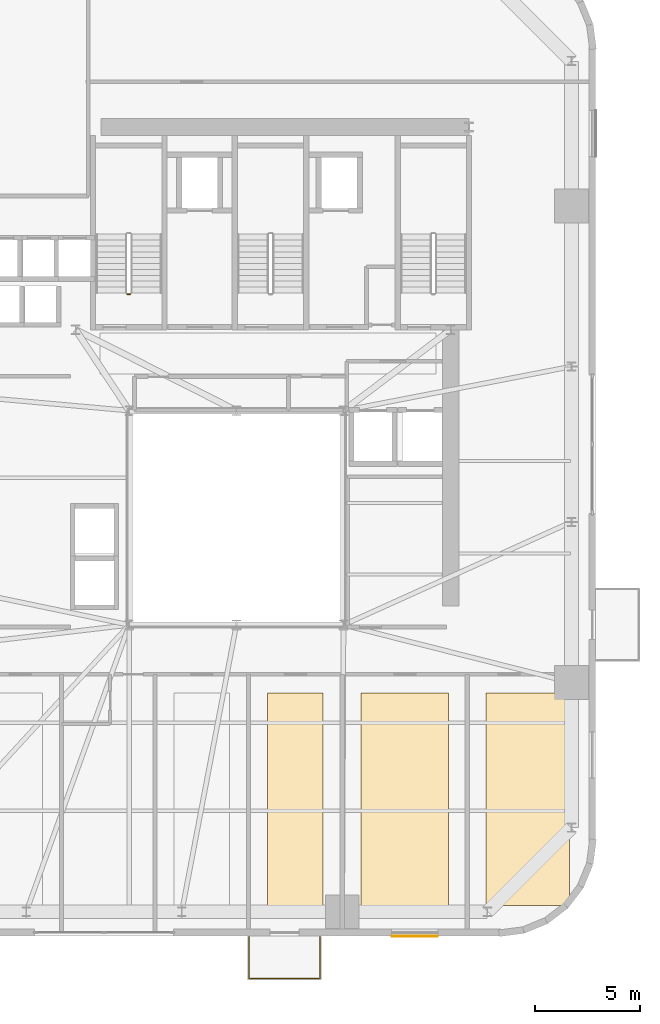
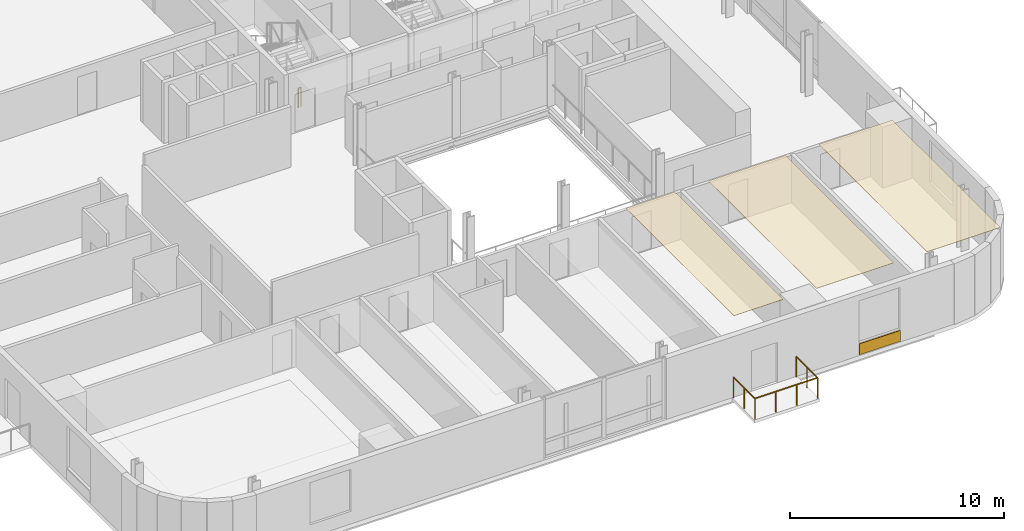
# One storey, part 11 of 14: 4 coverings, 2 railings.
"""IFC4 building model written with IfcOpenShell, lengths in metres."""

from ifc_helpers import new_model, si_unit, direction, frame, origin, origin_2d, place, context, subcontext, project, spatial, polyline, rectangle, outline, extrude, source, transform, mapped, material, layer, layer_set, type_object, element, save


model = new_model("IFC4")

# Units and contexts
model_context = context("Model", 3, precision=1e-05, world=origin(), true_north=direction((0.0, 1.0)))
body_context = subcontext(model_context, "Body", "Model", "MODEL_VIEW")
ifc_project = project(units=[si_unit("LENGTHUNIT", "METRE"), si_unit("AREAUNIT", "SQUARE_METRE"), si_unit("VOLUMEUNIT", "CUBIC_METRE"), si_unit("PLANEANGLEUNIT", "RADIAN"), si_unit("MASSUNIT", "GRAM", prefix="KILO")], contexts=[model_context])

# Site, building, storey
site_placement = place(None, origin())
site = spatial("IfcSite", under=ifc_project, at=site_placement, CompositionType="ELEMENT")
building_placement = place(site_placement, origin())
building = spatial("IfcBuilding", under=site, at=building_placement, Name="Vardaveli Station Tower", CompositionType="ELEMENT")
storey_placement = place(building_placement, frame((0.0, 0.0, 129.800048828125)))
storey = spatial("IfcBuildingStorey", under=building, at=storey_placement, Name="L33", CompositionType="ELEMENT", Elevation=129.800048828125)

# Coverings
ifc_material_1 = material(Name="Perforated acoustic mineral ceiling")
ifc_layer_1 = layer(ifc_material_1, 0.02001953125, Name="Perforated acoustic mineral ceiling")
ifc_layer_set_1 = layer_set([ifc_layer_1], Name="Perforated acoustic mineral ceiling")
covering_type_1 = type_object("IfcCoveringType", Name="COV-CEIL-AC20", PredefinedType="CEILING", material=ifc_layer_set_1)
covering_1_placement = place(storey_placement, frame((0.0, 0.0, 3.445068359375)))
element("IfcCovering", 1, at=covering_1_placement, inside=storey, type_object=covering_type_1, Name="CEIL-L33-5", PredefinedType="CEILING", context=body_context, shape_type="SweptSolid", body=[
    extrude(outline(polyline([(37.78173828125, 3.25), (40.4345703125, 3.25), (40.4345703125, 13.35009765625), (37.78173828125, 13.35009765625), (37.78173828125, 3.25)])), origin(), (0.0, 0.0, 1.0), 0.019775390625),
])
covering_2_placement = place(storey_placement, frame((0.0, 0.0, 3.445068359375)))
element("IfcCovering", 2, at=covering_2_placement, inside=storey, type_object=covering_type_1, Name="CEIL-L33-6", PredefinedType="CEILING", context=body_context, shape_type="SweptSolid", body=[
    extrude(outline(polyline([(42.234619140625, 3.25), (46.387451171875, 3.25), (46.387451171875, 13.35009765625), (42.234619140625, 13.35009765625), (42.234619140625, 3.25)])), origin(), (0.0, 0.0, 1.0), 0.019775390625),
])
covering_3_placement = place(storey_placement, frame((0.0, 0.0, 3.445068359375)))
element("IfcCovering", 3, at=covering_3_placement, inside=storey, type_object=covering_type_1, Name="CEIL-L33-7", PredefinedType="CEILING", context=body_context, shape_type="SweptSolid", body=[
    extrude(outline(polyline([(48.1875, 3.25), (52.14990234375, 3.25), (52.14990234375, 13.35009765625), (48.1875, 13.35009765625), (48.1875, 3.25)])), origin(), (0.0, 0.0, 1.0), 0.019775390625),
])
ifc_material_2 = material(Name="Ventilated honed travertine stone cladding", Category="masonry")
ifc_layer_2 = layer(ifc_material_2, 0.044921875, Name="Ventilated honed travertine stone cladding")
ifc_layer_set_2 = layer_set([ifc_layer_2], Name="Ventilated honed travertine stone cladding")
covering_type_2 = type_object("IfcCoveringType", Name="COV-CLAD-TR45", PredefinedType="CLADDING", material=ifc_layer_set_2)
shared_shape_1 = source(origin(), body_context, "Body", "SweptSolid", [
    extrude(rectangle(XDim=2.199951171875, YDim=0.044921875, at=origin_2d()), origin(), (0.0, 0.0, 1.0), 0.6201171875),
])
covering_4_placement = place(storey_placement, frame((44.794921875, 1.785400390625, 0.06982421875), z_axis=(0.0, 0.0, 1.0), x_axis=(1.0, 0.0, 0.0)))
element("IfcCovering", 4, at=covering_4_placement, inside=storey, type_object=covering_type_2, Name="CLD-TR-L33-S", PredefinedType="CLADDING", context=body_context, shape_type="MappedRepresentation", body=[
    mapped(shared_shape_1, transform((0.0, 0.0, 0.0), scale=1.0)),
])

# Railings
ifc_material_3 = material(Name="Laminated glass and stainless steel balustrade", Category="steel")
railing_type_1 = type_object("IfcRailingType", Name="RL-BAL-1200", PredefinedType="BALUSTRADE", material=ifc_material_3)
shared_shape_2 = source(origin(), body_context, "Body", "SweptSolid", [
    extrude(rectangle(XDim=0.048095703125, YDim=0.048095703125, at=origin_2d()), frame((0.0, 0.0, 1.17578125), z_axis=(0.0, -1.0, 0.0), x_axis=(1.0, 0.0, 0.0)), (0.0, 0.0, 1.0), 2.0),
    extrude(rectangle(XDim=0.048095703125, YDim=0.048095703125, at=origin_2d()), frame((0.0, -2.0, 1.17578125), z_axis=(1.0, 0.0, 0.0), x_axis=(0.0, 1.0, 0.0)), (0.0, 0.0, 1.0), 3.3798828125),
    extrude(rectangle(XDim=0.048095703125, YDim=0.048095703125, at=origin_2d()), frame((3.3798828125, -2.0, 1.17578125), z_axis=(0.0, 1.0, 0.0), x_axis=(-1.0, 0.0, 0.0)), (0.0, 0.0, 1.0), 2.0),
    extrude(rectangle(XDim=0.0419921875, YDim=0.0419921875, at=origin_2d()), origin(), (0.0, 0.0, 1.0), 1.15185546875),
    extrude(rectangle(XDim=0.0419921875, YDim=0.0419921875, at=origin_2d()), frame((0.0, -1.0, 0.0)), (0.0, 0.0, 1.0), 1.15185546875),
    extrude(rectangle(XDim=0.0419921875, YDim=0.0419921875, at=origin_2d()), frame((0.0, -2.0, 0.0)), (0.0, 0.0, 1.0), 1.15185546875),
    extrude(rectangle(XDim=0.0419921875, YDim=0.0419921875, at=origin_2d()), frame((1.126708984375, -2.0, 0.0)), (0.0, 0.0, 1.0), 1.15185546875),
    extrude(rectangle(XDim=0.0419921875, YDim=0.0419921875, at=origin_2d()), frame((2.253173828125, -2.0, 0.0)), (0.0, 0.0, 1.0), 1.15185546875),
    extrude(rectangle(XDim=0.0419921875, YDim=0.0419921875, at=origin_2d()), frame((3.3798828125, -2.0, 0.0)), (0.0, 0.0, 1.0), 1.15185546875),
    extrude(rectangle(XDim=0.0419921875, YDim=0.0419921875, at=origin_2d()), frame((3.3798828125, -1.0, 0.0)), (0.0, 0.0, 1.0), 1.15185546875),
    extrude(rectangle(XDim=0.0419921875, YDim=0.0419921875, at=origin_2d()), frame((3.3798828125, 0.0, 0.0)), (0.0, 0.0, 1.0), 1.15185546875),
])
railing_1_placement = place(storey_placement, frame((36.899658203125, 1.760009765625, 0.0)))
element("IfcRailing", 5, at=railing_1_placement, inside=storey, type_object=railing_type_1, Name="RL-LOG-L33-01", PredefinedType="BALUSTRADE", context=body_context, shape_type="MappedRepresentation", body=[
    mapped(shared_shape_2, transform((0.0, 0.0, 0.0), scale=1.0)),
])
ifc_material_4 = material(Name="Brushed AISI 316 stainless steel", Category="steel")
railing_type_2 = type_object("IfcRailingType", Name="RL-GUARD-1150", PredefinedType="GUARDRAIL", material=ifc_material_4)
shared_shape_3 = source(origin(), body_context, "Body", "SweptSolid", [
    extrude(rectangle(XDim=0.048095703125, YDim=0.048095703125, at=origin_2d()), frame((0.0, 0.0, 1.1259765625), z_axis=(-1.0, 0.0, 0.0), x_axis=(0.0, -1.0, 0.0)), (0.0, 0.0, 1.0), 0.14990234375),
    extrude(rectangle(XDim=0.0419921875, YDim=0.0419921875, at=origin_2d()), origin(), (0.0, 0.0, 1.0), 1.101806640625),
    extrude(rectangle(XDim=0.0419921875, YDim=0.0419921875, at=origin_2d()), frame((-0.14990234375, 0.0, 0.0)), (0.0, 0.0, 1.0), 1.101806640625),
])
railing_2_placement = place(storey_placement, frame((31.25, 32.35009765625, 0.0)))
element("IfcRailing", 6, at=railing_2_placement, inside=storey, type_object=railing_type_2, Name="L33 ST-1 stair guard 4", PredefinedType="GUARDRAIL", context=body_context, shape_type="MappedRepresentation", body=[
    mapped(shared_shape_3, transform((0.0, 0.0, 0.0), scale=1.0)),
])

save(model, "model.ifc")
